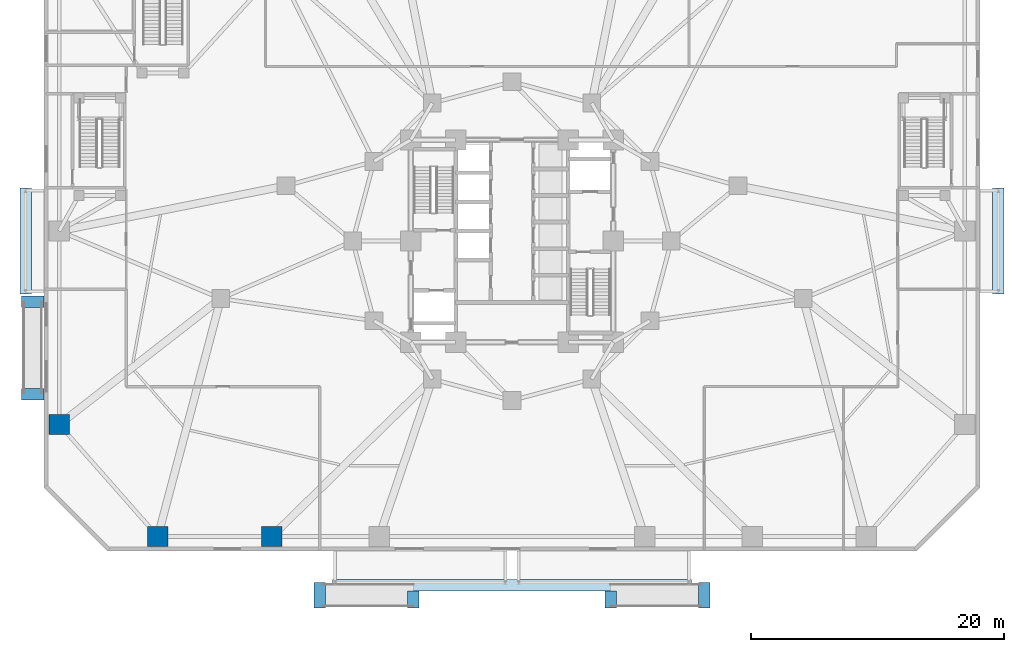
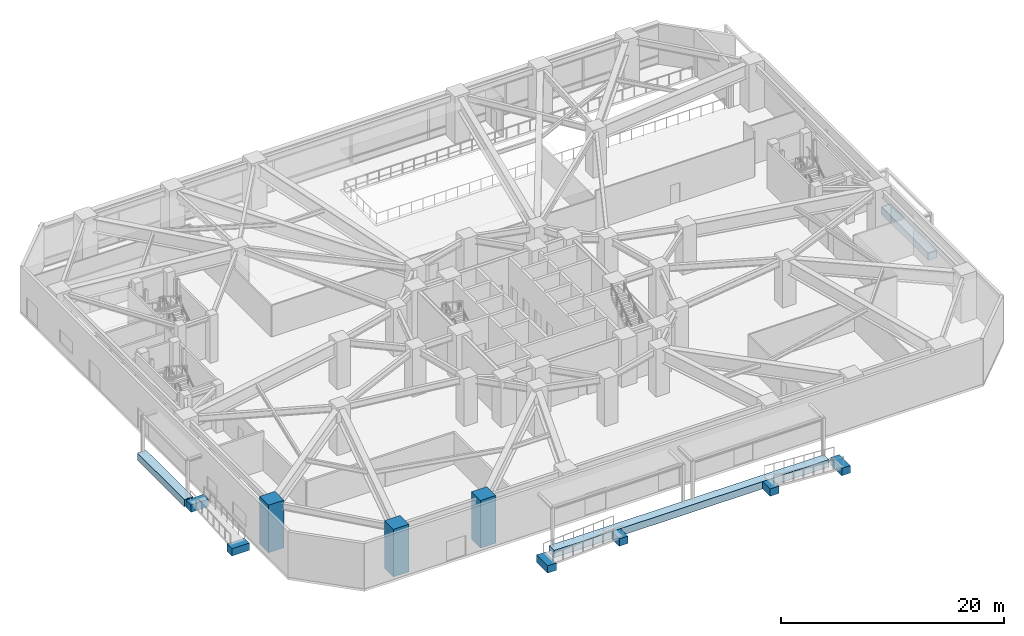
# One storey, part 1 of 30: 9 footings, 3 columns.
"""IFC4 building model written with IfcOpenShell, lengths in metres."""

from ifc_helpers import new_model, si_unit, direction, frame, origin, origin_2d, place, context, subcontext, project, spatial, rectangle, extrude, material, material_profile, profile_set, type_object, element, save


model = new_model("IFC4")

# Units and contexts
model_context = context("Model", 3, precision=1e-05, world=origin(), true_north=direction((0.0, 1.0)))
body_context = subcontext(model_context, "Body", "Model", "MODEL_VIEW")
ifc_project = project(units=[si_unit("LENGTHUNIT", "METRE"), si_unit("AREAUNIT", "SQUARE_METRE"), si_unit("VOLUMEUNIT", "CUBIC_METRE"), si_unit("PLANEANGLEUNIT", "RADIAN"), si_unit("MASSUNIT", "GRAM", prefix="KILO")], contexts=[model_context])

# Site, building, storey
site_placement = place(None, origin())
site = spatial("IfcSite", under=ifc_project, at=site_placement, CompositionType="ELEMENT")
building_placement = place(site_placement, origin())
building = spatial("IfcBuilding", under=site, at=building_placement, Name="Terralouvre Media Tower", CompositionType="ELEMENT")
storey_placement = place(building_placement, origin())
storey = spatial("IfcBuildingStorey", under=building, at=storey_placement, Name="L00", CompositionType="ELEMENT", Elevation=0.0)

# Footings
ifc_material_1 = material(Name="Concrete C45/55", Category="concrete")
ifc_material_profile_1 = material_profile(ifc_material_1, rectangle(XDim=0.89990234375, YDim=0.800048828125, at=origin_2d()), Name="SF 900x800")
ifc_profile_set_1 = profile_set([ifc_material_profile_1], Name="Concrete C45/55")
footing_type = type_object("IfcFootingType", Name="Exterior Ramp and Canopy Strip Footing SF-900", PredefinedType="STRIP_FOOTING", material=ifc_profile_set_1)
footing_1_placement = place(storey_placement, frame((-15.199951171875, -29.0, -0.85009765625), z_axis=(0.0, 1.0, 0.0), x_axis=(-1.0, 0.0, 0.0)))
element("IfcFooting", 1, at=footing_1_placement, inside=storey, type_object=footing_type, Name="Plaza Grade Strip Footing SF-RMPS-LO", PredefinedType="STRIP_FOOTING", context=body_context, shape_type="SweptSolid", body=[
    extrude(rectangle(XDim=0.89990234375, YDim=0.800048828125, at=origin_2d()), origin(), (0.0, 0.0, 1.0), 2.0),
])
for number, where, z_axis, x_axis, name in (
    (2, (-7.800048828125, -29.0, -0.5), (0.0, 1.0, 0.0), (-1.0, 0.0, 0.0), "Plaza Grade Strip Footing SF-RMPS-HI"),
    (3, (7.800048828125, -29.0, -0.5), (0.0, 1.0, 0.0), (-1.0, 0.0, 0.0), "Plaza Grade Strip Footing SF-RMPE-HI"),
):
    element("IfcFooting", number, at=place(storey_placement, frame(where, z_axis=z_axis, x_axis=x_axis)), inside=storey, type_object=footing_type, Name=name, PredefinedType="STRIP_FOOTING", context=body_context, shape_type="SweptSolid", body=[
        extrude(rectangle(XDim=0.89990234375, YDim=0.800048828125, at=origin_2d()), origin(), (0.0, 0.0, 1.0), 1.35009765625),
    ])
footing_2_placement = place(storey_placement, frame((15.199951171875, -29.0, -0.85009765625), z_axis=(0.0, 1.0, 0.0), x_axis=(-1.0, 0.0, 0.0)))
element("IfcFooting", 4, at=footing_2_placement, inside=storey, type_object=footing_type, Name="Plaza Grade Strip Footing SF-RMPE-LO", PredefinedType="STRIP_FOOTING", context=body_context, shape_type="SweptSolid", body=[
    extrude(rectangle(XDim=0.89990234375, YDim=0.800048828125, at=origin_2d()), origin(), (0.0, 0.0, 1.0), 2.0),
])
for number, where, z_axis, x_axis, name in (
    (5, (-38.800048828125, -12.10009765625, -0.85009765625), (1.0, 0.0, 0.0), (0.0, 1.0, 0.0), "Plaza Grade Strip Footing SF-RMPW-LO"),
    (6, (-38.800048828125, -4.800048828125, -0.5), (1.0, 0.0, 0.0), (0.0, 1.0, 0.0), "Plaza Grade Strip Footing SF-RMPW-HI"),
):
    element("IfcFooting", number, at=place(storey_placement, frame(where, z_axis=z_axis, x_axis=x_axis)), inside=storey, type_object=footing_type, Name=name, PredefinedType="STRIP_FOOTING", context=body_context, shape_type="SweptSolid", body=[
        extrude(rectangle(XDim=0.89990234375, YDim=0.800048828125, at=origin_2d()), origin(), (0.0, 0.0, 1.0), 1.800048828125),
    ])
footing_3_placement = place(storey_placement, frame((-14.199951171875, -27.199951171875, -0.5), z_axis=(1.0, 0.0, 0.0), x_axis=(0.0, 1.0, 0.0)))
element("IfcFooting", 7, at=footing_3_placement, inside=storey, type_object=footing_type, Name="Plaza Grade Strip Footing SF-CANS-W", PredefinedType="STRIP_FOOTING", context=body_context, shape_type="SweptSolid", body=[
    extrude(rectangle(XDim=0.89990234375, YDim=0.800048828125, at=origin_2d()), origin(), (0.0, 0.0, 1.0), 28.39990234375),
])
for number, where, z_axis, x_axis, name in (
    (8, (-38.449951171875, -4.199951171875, -0.5), (0.0, 1.0, 0.0), (-1.0, 0.0, 0.0), "Plaza Grade Strip Footing SF-CANW-1"),
    (9, (38.449951171875, -4.199951171875, -0.5), (0.0, 1.0, 0.0), (-1.0, 0.0, 0.0), "Plaza Grade Strip Footing SF-CANE-1"),
):
    element("IfcFooting", number, at=place(storey_placement, frame(where, z_axis=z_axis, x_axis=x_axis)), inside=storey, type_object=footing_type, Name=name, PredefinedType="STRIP_FOOTING", context=body_context, shape_type="SweptSolid", body=[
        extrude(rectangle(XDim=0.89990234375, YDim=0.800048828125, at=origin_2d()), origin(), (0.0, 0.0, 1.0), 8.39990234375),
    ])

# Columns
ifc_material_2 = material(Name="Concrete C60/75", Category="concrete")
ifc_material_profile_2 = material_profile(ifc_material_2, rectangle(XDim=1.60009765625, YDim=1.60009765625, at=origin_2d()), Name="RC 1600x1600")
ifc_profile_set_2 = profile_set([ifc_material_profile_2], Name="Concrete C60/75")
column_type = type_object("IfcColumnType", Name="Structural Column C-RC1600 (RC 1600x1600)", PredefinedType="COLUMN", material=ifc_profile_set_2)
for number, where, z_axis, x_axis, name in (
    (10, (-28.0, -23.35009765625, 0.0), (0.0, 0.0, 1.0), (1.0, 0.0, 0.0), "L00 Perimeter Mega-Column PM01"),
    (11, (-19.0, -23.35009765625, 0.0), (0.0, 0.0, 1.0), (1.0, 0.0, 0.0), "L00 Perimeter Mega-Column PM02"),
    (12, (-35.800048828125, -14.5, 0.0), (0.0, 0.0, 1.0), (1.0, 0.0, 0.0), "L00 Perimeter Mega-Column PM18"),
):
    element("IfcColumn", number, at=place(storey_placement, frame(where, z_axis=z_axis, x_axis=x_axis)), inside=storey, type_object=column_type, Name=name, PredefinedType="COLUMN", context=body_context, shape_type="SweptSolid", body=[
        extrude(rectangle(XDim=1.60009765625, YDim=1.60009765625, at=origin_2d()), origin(), (0.0, 0.0, 1.0), 5.199951171875),
    ])

save(model, "model.ifc")
